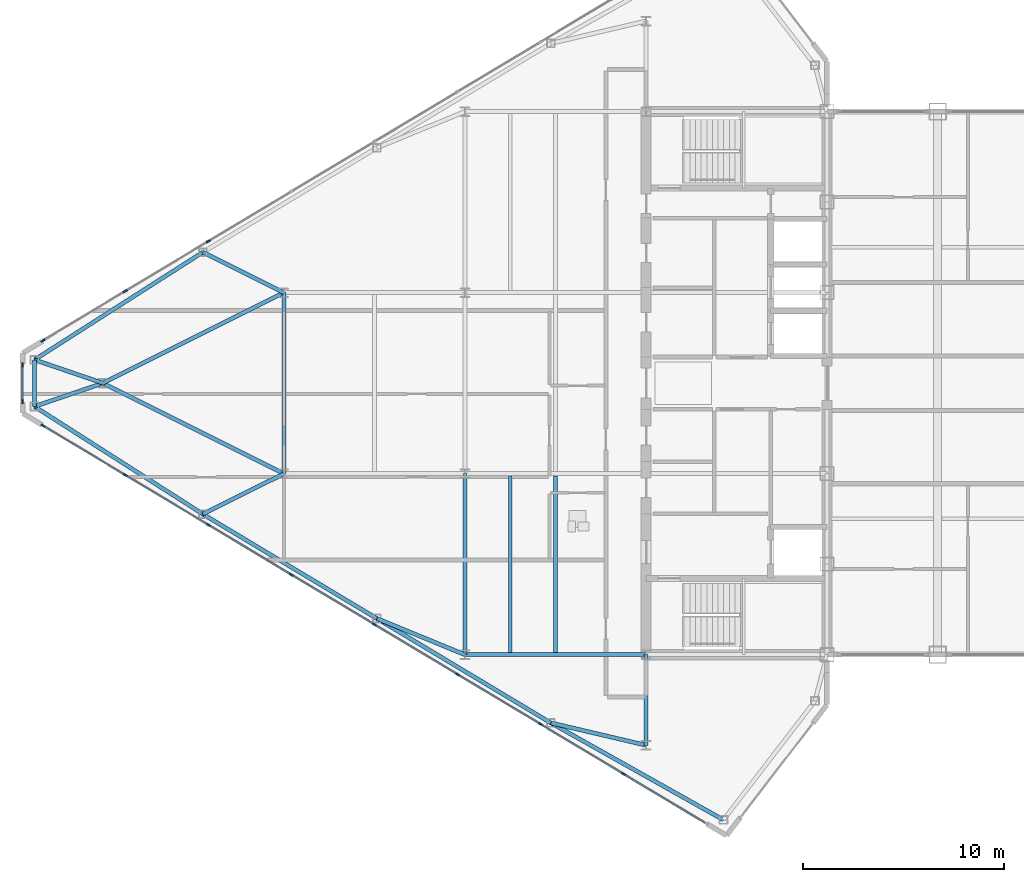
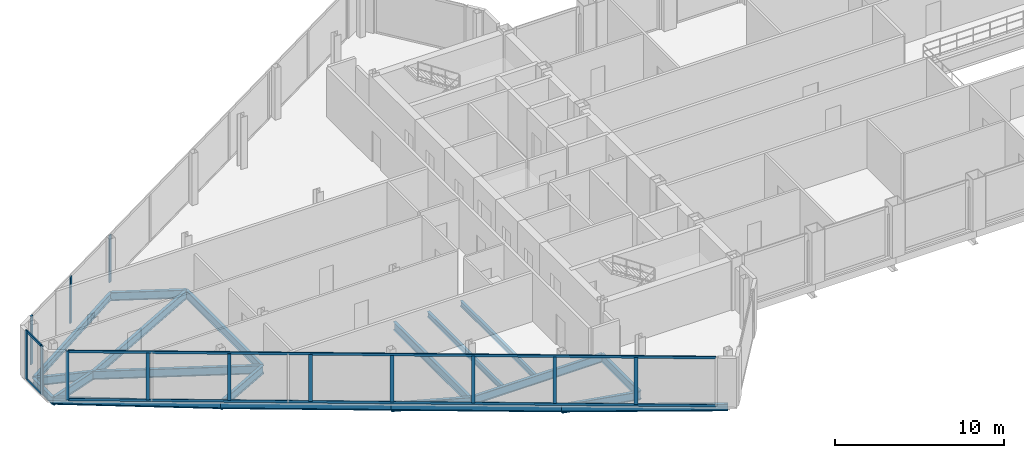
# One storey, part 8 of 29: 20 beams, 17 members, 3 elements without a shape of their own.
"""IFC4 building model written with IfcOpenShell, lengths in metres."""

from ifc_helpers import new_model, si_unit, direction, frame, origin, origin_2d, place, context, subcontext, project, spatial, rectangle, i_section, extrude, source, transform, mapped, material, layer, layer_set, material_profile, profile_set, type_object, type_shapes, element, aggregate, save


model = new_model("IFC4")

# Units and contexts
model_context = context("Model", 3, precision=1e-05, world=origin(), true_north=direction((0.0, 1.0)))
body_context = subcontext(model_context, "Body", "Model", "MODEL_VIEW")
ifc_project = project(units=[si_unit("LENGTHUNIT", "METRE"), si_unit("AREAUNIT", "SQUARE_METRE"), si_unit("VOLUMEUNIT", "CUBIC_METRE"), si_unit("PLANEANGLEUNIT", "RADIAN"), si_unit("MASSUNIT", "GRAM", prefix="KILO")], contexts=[model_context])

# Site, building, storey
site_placement = place(None, origin())
site = spatial("IfcSite", under=ifc_project, at=site_placement, CompositionType="ELEMENT")
building_placement = place(site_placement, origin())
building = spatial("IfcBuilding", under=site, at=building_placement, Name="Seokmaru Belvedere", CompositionType="ELEMENT")
storey_placement = place(building_placement, frame((0.0, 0.0, 243.14990234375)))
storey = spatial("IfcBuildingStorey", under=building, at=storey_placement, Name="L64", CompositionType="ELEMENT", Elevation=243.14990234375)

# Beams
ifc_material_1 = material(Name="Steel SM355 (355 MPa)", Category="steel")
ifc_material_profile_1 = material_profile(ifc_material_1, i_section(OverallWidth=0.199951171875, OverallDepth=0.60009765625, WebThickness=0.010986328125, FlangeThickness=0.01708984375, at=origin_2d()), Name="H-600x200x11x17")
ifc_profile_set_1 = profile_set([ifc_material_profile_1], Name="Steel SM355 (355 MPa)")
beam_type_1 = type_object("IfcBeamType", Name="Primary Floor Girder H-600", PredefinedType="BEAM", material=ifc_profile_set_1)
shared_shape_1 = source(origin(), body_context, "Body", "SweptSolid", [
    extrude(i_section(OverallWidth=0.199951171875, OverallDepth=0.60009765625, WebThickness=0.010986328125, FlangeThickness=0.01708984375, at=origin_2d()), origin(), (0.0, 0.0, 1.0), 9.0),
])
for number, where, z_axis, x_axis, name in (
    (1, (-45.5, -13.5, -0.52001953125), (0.0, 1.0, 0.0), (-1.0, 0.0, 0.0), "L64 W Interior Grid Girder 1"),
    (2, (-45.5, -13.5, -0.52001953125), (1.0, 0.0, 0.0), (0.0, 1.0, 0.0), "L64 W Wing Primary Girder 1"),
    (3, (-54.5, -4.5, -0.52001953125), (0.0, 1.0, 0.0), (-1.0, 0.0, 0.0), "L64 W Apex Frame Girder"),
):
    element("IfcBeam", number, at=place(storey_placement, frame(where, z_axis=z_axis, x_axis=x_axis)), inside=storey, type_object=beam_type_1, Name=name, PredefinedType="BEAM", context=body_context, shape_type="MappedRepresentation", body=[
        mapped(shared_shape_1, transform((0.0, 0.0, 0.0), scale=1.0)),
    ])
shared_shape_2 = source(origin(), body_context, "Body", "SweptSolid", [
    extrude(i_section(OverallWidth=0.199951171875, OverallDepth=0.60009765625, WebThickness=0.010986328125, FlangeThickness=0.01708984375, at=origin_2d()), origin(), (0.0, 0.0, 1.0), 10.062255859375),
])
for number, where, z_axis, x_axis, name in (
    (4, (-54.5, -4.5, -0.52001953125), (-0.894427191, 0.4472135955, 0.0), (-0.4472135955, -0.894427191, 0.0), "L64 W Apex Converging Girder 1"),
    (5, (-54.5, 4.5, -0.52001953125), (-0.894427191, -0.4472135955, 0.0), (0.4472135955, -0.894427191, 0.0), "L64 W Apex Converging Girder 2"),
):
    element("IfcBeam", number, at=place(storey_placement, frame(where, z_axis=z_axis, x_axis=x_axis)), inside=storey, type_object=beam_type_1, Name=name, PredefinedType="BEAM", context=body_context, shape_type="MappedRepresentation", body=[
        mapped(shared_shape_2, transform((0.0, 0.0, 0.0), scale=1.0)),
    ])
ifc_material_profile_2 = material_profile(ifc_material_1, i_section(OverallWidth=0.18505859375, OverallDepth=0.389892578125, WebThickness=0.008056640625, FlangeThickness=0.011962890625, at=origin_2d()), Name="H-390x185x8x12")
ifc_profile_set_2 = profile_set([ifc_material_profile_2], Name="Steel SM355 (355 MPa)")
beam_type_2 = type_object("IfcBeamType", Name="Secondary Floor Joist H-350", PredefinedType="JOIST", material=ifc_profile_set_2)
shared_shape_3 = source(origin(), body_context, "Body", "SweptSolid", [
    extrude(i_section(OverallWidth=0.18505859375, OverallDepth=0.389892578125, WebThickness=0.008056640625, FlangeThickness=0.011962890625, at=origin_2d()), origin(), (0.0, 0.0, 1.0), 8.7900390625),
])
type_shapes(beam_type_2, [shared_shape_3])
for number, where, z_axis, x_axis, name in (
    (6, (-43.25, -13.39501953125, -0.414794921875), (0.0, 1.0, 0.0), (-1.0, 0.0, 0.0), "L64 W Wing Inner Secondary Joist 1"),
    (7, (-41.0, -13.39501953125, -0.414794921875), (0.0, 1.0, 0.0), (-1.0, 0.0, 0.0), "L64 W Secondary Floor Joist 1"),
):
    element("IfcBeam", number, at=place(storey_placement, frame(where, z_axis=z_axis, x_axis=x_axis)), inside=storey, type_object=beam_type_2, Name=name, PredefinedType="JOIST", context=body_context, shape_type="MappedRepresentation", body=[
        mapped(shared_shape_3, transform((0.0, 0.0, 0.0), scale=1.0)),
    ])
shared_shape_4 = source(origin(), body_context, "Body", "SweptSolid", [
    extrude(i_section(OverallWidth=0.199951171875, OverallDepth=0.60009765625, WebThickness=0.010986328125, FlangeThickness=0.01708984375, at=origin_2d()), origin(), (0.0, 0.0, 1.0), 4.5),
])
beam_1_placement = place(storey_placement, frame((-36.5, -18.0, -0.52001953125), z_axis=(0.0, 1.0, 0.0), x_axis=(-1.0, 0.0, 0.0)))
element("IfcBeam", 8, at=beam_1_placement, inside=storey, type_object=beam_type_1, Name="L64 W Core Shoulder Girder S", PredefinedType="BEAM", context=body_context, shape_type="MappedRepresentation", body=[
    mapped(shared_shape_4, transform((0.0, 0.0, 0.0), scale=1.0)),
])
ifc_material_profile_3 = material_profile(ifc_material_1, i_section(OverallWidth=0.199951171875, OverallDepth=0.5, WebThickness=0.010009765625, FlangeThickness=0.01611328125, at=origin_2d()), Name="H-500x200x10x16")
ifc_profile_set_3 = profile_set([ifc_material_profile_3], Name="Steel SM355 (355 MPa)")
beam_type_3 = type_object("IfcBeamType", Name="Perimeter Spandrel Beam H-500", PredefinedType="SPANDREL", material=ifc_profile_set_3)
shared_shape_5 = source(origin(), body_context, "Body", "SweptSolid", [
    extrude(i_section(OverallWidth=0.199951171875, OverallDepth=0.5, WebThickness=0.010009765625, FlangeThickness=0.01611328125, at=origin_2d()), origin(), (0.0, 0.0, 1.0), 9.842041015625),
])
beam_2_placement = place(storey_placement, frame((-32.649658203125, -21.71044921875, -0.469970703125), z_axis=(-0.871782151818, 0.489893743349, 0.0), x_axis=(-0.489893743349, -0.871782151818, 0.0)))
element("IfcBeam", 9, at=beam_2_placement, inside=storey, type_object=beam_type_3, Name="L64 W Faceted Flank Spandrel S-1", PredefinedType="SPANDREL", context=body_context, shape_type="MappedRepresentation", body=[
    mapped(shared_shape_5, transform((0.0, 0.0, 0.0), scale=1.0)),
])
shared_shape_6 = source(origin(), body_context, "Body", "SweptSolid", [
    extrude(i_section(OverallWidth=0.199951171875, OverallDepth=0.5, WebThickness=0.010009765625, FlangeThickness=0.01611328125, at=origin_2d()), origin(), (0.0, 0.0, 1.0), 10.087646484375),
])
for number, where, z_axis, x_axis, name in (
    (10, (-41.229736328125, -16.888916015625, -0.469970703125), (-0.857499332045, 0.514485078056, 0.0), (-0.514485078056, -0.857499332045, 0.0), "L64 W Faceted Flank Spandrel S-2"),
    (11, (-49.8798828125, -11.698974609375, -0.469970703125), (-0.857488654804, 0.514502873542, 0.0), (-0.514502873542, -0.857488654804, 0.0), "L64 W Faceted Flank Spandrel S-3"),
):
    element("IfcBeam", number, at=place(storey_placement, frame(where, z_axis=z_axis, x_axis=x_axis)), inside=storey, type_object=beam_type_3, Name=name, PredefinedType="SPANDREL", context=body_context, shape_type="MappedRepresentation", body=[
        mapped(shared_shape_6, transform((0.0, 0.0, 0.0), scale=1.0)),
    ])
shared_shape_7 = source(origin(), body_context, "Body", "SweptSolid", [
    extrude(i_section(OverallWidth=0.199951171875, OverallDepth=0.5, WebThickness=0.010009765625, FlangeThickness=0.01611328125, at=origin_2d()), origin(), (0.0, 0.0, 1.0), 9.932861328125),
])
for number, where, z_axis, x_axis, name in (
    (12, (-58.530029296875, -6.5087890625, -0.469970703125), (-0.842651960357, 0.538458609093, 0.0), (-0.538458609093, -0.842651960357, 0.0), "L64 W Faceted Flank Spandrel S-4"),
    (13, (-58.530029296875, 6.5087890625, -0.469970703125), (-0.842651960357, -0.538458609093, 0.0), (0.538458609093, -0.842651960357, 0.0), "L64 W Faceted Flank Spandrel N-4"),
):
    element("IfcBeam", number, at=place(storey_placement, frame(where, z_axis=z_axis, x_axis=x_axis)), inside=storey, type_object=beam_type_3, Name=name, PredefinedType="SPANDREL", context=body_context, shape_type="MappedRepresentation", body=[
        mapped(shared_shape_7, transform((0.0, 0.0, 0.0), scale=1.0)),
    ])
shared_shape_8 = source(origin(), body_context, "Body", "SweptSolid", [
    extrude(i_section(OverallWidth=0.199951171875, OverallDepth=0.5, WebThickness=0.010009765625, FlangeThickness=0.01611328125, at=origin_2d()), origin(), (0.0, 0.0, 1.0), 2.32080078125),
])
type_shapes(beam_type_3, [shared_shape_5, shared_shape_6, shared_shape_7, shared_shape_8])
beam_3_placement = place(storey_placement, frame((-66.89990234375, -1.160400390625, -0.469970703125), z_axis=(0.0, 1.0, 0.0), x_axis=(-1.0, 0.0, 0.0)))
element("IfcBeam", 14, at=beam_3_placement, inside=storey, type_object=beam_type_3, Name="L64 W Faceted Apex Spandrel", PredefinedType="SPANDREL", context=body_context, shape_type="MappedRepresentation", body=[
    mapped(shared_shape_8, transform((0.0, 0.0, 0.0), scale=1.0)),
])
shared_shape_9 = source(origin(), body_context, "Body", "SweptSolid", [
    extrude(i_section(OverallWidth=0.199951171875, OverallDepth=0.60009765625, WebThickness=0.010986328125, FlangeThickness=0.01708984375, at=origin_2d()), origin(), (0.0, 0.0, 1.0), 4.8583984375),
])
beam_4_placement = place(storey_placement, frame((-41.229736328125, -16.888916015625, -0.52001953125), z_axis=(0.97349948295, -0.228689214211, 0.0), x_axis=(0.228689214211, 0.97349948295, 0.0)))
element("IfcBeam", 15, at=beam_4_placement, inside=storey, type_object=beam_type_1, Name="L64 W Flank Radial Floor Girder S-1", PredefinedType="BEAM", context=body_context, shape_type="MappedRepresentation", body=[
    mapped(shared_shape_9, transform((0.0, 0.0, 0.0), scale=1.0)),
])
shared_shape_10 = source(origin(), body_context, "Body", "SweptSolid", [
    extrude(i_section(OverallWidth=0.199951171875, OverallDepth=0.60009765625, WebThickness=0.010986328125, FlangeThickness=0.01708984375, at=origin_2d()), origin(), (0.0, 0.0, 1.0), 4.73583984375),
])
beam_5_placement = place(storey_placement, frame((-49.8798828125, -11.698974609375, -0.52001953125), z_axis=(0.924860562953, -0.380306375301, 0.0), x_axis=(0.380306375301, 0.924860562953, 0.0)))
element("IfcBeam", 16, at=beam_5_placement, inside=storey, type_object=beam_type_1, Name="L64 W Flank Radial Floor Girder S-2", PredefinedType="BEAM", context=body_context, shape_type="MappedRepresentation", body=[
    mapped(shared_shape_10, transform((0.0, 0.0, 0.0), scale=1.0)),
])
shared_shape_11 = source(origin(), body_context, "Body", "SweptSolid", [
    extrude(i_section(OverallWidth=0.199951171875, OverallDepth=0.60009765625, WebThickness=0.010986328125, FlangeThickness=0.01708984375, at=origin_2d()), origin(), (0.0, 0.0, 1.0), 4.5029296875),
])
for number, where, z_axis, x_axis, name in (
    (17, (-58.530029296875, -6.5087890625, -0.52001953125), (0.894979532585, 0.446107202648, 0.0), (-0.446107202648, 0.894979532585, 0.0), "L64 W Flank Radial Floor Girder S-3"),
    (18, (-58.530029296875, 6.5087890625, -0.52001953125), (0.894979532585, -0.446107202648, 0.0), (0.446107202648, 0.894979532585, 0.0), "L64 W Flank Radial Floor Girder N-3"),
):
    element("IfcBeam", number, at=place(storey_placement, frame(where, z_axis=z_axis, x_axis=x_axis)), inside=storey, type_object=beam_type_1, Name=name, PredefinedType="BEAM", context=body_context, shape_type="MappedRepresentation", body=[
        mapped(shared_shape_11, transform((0.0, 0.0, 0.0), scale=1.0)),
    ])
shared_shape_12 = source(origin(), body_context, "Body", "SweptSolid", [
    extrude(i_section(OverallWidth=0.199951171875, OverallDepth=0.60009765625, WebThickness=0.010986328125, FlangeThickness=0.01708984375, at=origin_2d()), origin(), (0.0, 0.0, 1.0), 3.592529296875),
])
type_shapes(beam_type_1, [shared_shape_1, shared_shape_2, shared_shape_4, shared_shape_9, shared_shape_10, shared_shape_11, shared_shape_12])
for number, where, z_axis, x_axis, name in (
    (19, (-66.89990234375, -1.160400390625, -0.52001953125), (0.946395973048, 0.323008764893, 0.0), (-0.323008764893, 0.946395973048, 0.0), "L64 W Apex Radial Floor Girder 1"),
    (20, (-66.89990234375, 1.160400390625, -0.52001953125), (0.946395973048, -0.323008764893, 0.0), (0.323008764893, 0.946395973048, 0.0), "L64 W Apex Radial Floor Girder 2"),
):
    element("IfcBeam", number, at=place(storey_placement, frame(where, z_axis=z_axis, x_axis=x_axis)), inside=storey, type_object=beam_type_1, Name=name, PredefinedType="BEAM", context=body_context, shape_type="MappedRepresentation", body=[
        mapped(shared_shape_12, transform((0.0, 0.0, 0.0), scale=1.0)),
    ])

# Curtain wall, members
ifc_material_2 = material(Name="Bronze Triple Insulating Glass", Category="glass")
ifc_layer = layer(ifc_material_2, 0.219970703125)
ifc_layer_set = layer_set([ifc_layer], Name="Bronze Triple Insulating Glass")
curtain_wall_type = type_object("IfcCurtainWallType", Name="Sky-Gate Bridge Panorama Curtain Wall System CW-6", PredefinedType="NOTDEFINED", material=ifc_layer_set)
curtain_wall_1_placement = place(storey_placement, origin())
curtain_wall_1 = element("IfcCurtainWall", 21, at=curtain_wall_1_placement, inside=storey, type_object=curtain_wall_type, Name="L64 Curtain Wall WF5", PredefinedType="NOTDEFINED")
ifc_material_3 = material(Name="Anodised Bronze Aluminium", Category="aluminium")
ifc_material_profile_4 = material_profile(ifc_material_3, rectangle(XDim=0.074951171875, YDim=0.179931640625, at=origin_2d()), Name="CW-T-75x180")
ifc_profile_set_4 = profile_set([ifc_material_profile_4], Name="Anodised Bronze Aluminium")
member_type_1 = type_object("IfcMemberType", Name="Bronze Unitised Transom 75x180", PredefinedType="USERDEFINED", material=ifc_profile_set_4)
shared_shape_13 = source(origin(), body_context, "Body", "SweptSolid", [
    extrude(rectangle(XDim=0.074951171875, YDim=0.179931640625, at=origin_2d()), origin(), (0.0, 0.0, 1.0), 38.356689453125),
])
member_1_placement = place(storey_placement, frame((-66.4453125, -2.1328125, 0.03759765625), z_axis=(0.857492925713, -0.514495755428, 0.0), x_axis=(0.514495755428, 0.857492925713, 0.0)))
member_1 = element("IfcMember", 22, at=member_1_placement, type_object=member_type_1, Name="CW:L64:WF5 Continuous Transom 1", ObjectType="TRANSOM", PredefinedType="USERDEFINED", context=body_context, shape_type="MappedRepresentation", body=[
    mapped(shared_shape_13, transform((0.0, 0.0, 0.0), scale=1.0)),
])
member_2_placement = place(storey_placement, frame((-66.4453125, -2.1328125, 3.49267578125), z_axis=(0.857492925713, -0.514495755428, 0.0), x_axis=(0.514495755428, 0.857492925713, 0.0)))
member_2 = element("IfcMember", 23, at=member_2_placement, type_object=member_type_1, Name="CW:L64:WF5 Continuous Transom 2", ObjectType="TRANSOM", PredefinedType="USERDEFINED", context=body_context, shape_type="MappedRepresentation", body=[
    mapped(shared_shape_13, transform((0.0, 0.0, 0.0), scale=1.0)),
])

curtain_wall_2_placement = place(storey_placement, origin())
curtain_wall_2 = element("IfcCurtainWall", 24, at=curtain_wall_2_placement, inside=storey, type_object=curtain_wall_type, Name="L64 Curtain Wall WF4", PredefinedType="NOTDEFINED")
shared_shape_14 = source(origin(), body_context, "Body", "SweptSolid", [
    extrude(rectangle(XDim=0.074951171875, YDim=0.179931640625, at=origin_2d()), origin(), (0.0, 0.0, 1.0), 1.740234375),
])
type_shapes(member_type_1, [shared_shape_13, shared_shape_14])
member_3_placement = place(storey_placement, frame((-67.5, 0.8701171875, 0.03759765625), z_axis=(0.0, -1.0, 0.0), x_axis=(1.0, 0.0, 0.0)))
member_3 = element("IfcMember", 25, at=member_3_placement, type_object=member_type_1, Name="CW:L64:WF4 Continuous Transom 1", ObjectType="TRANSOM", PredefinedType="USERDEFINED", context=body_context, shape_type="MappedRepresentation", body=[
    mapped(shared_shape_14, transform((0.0, 0.0, 0.0), scale=1.0)),
])
member_4_placement = place(storey_placement, frame((-67.5, 0.8701171875, 3.49267578125), z_axis=(0.0, -1.0, 0.0), x_axis=(1.0, 0.0, 0.0)))
member_4 = element("IfcMember", 26, at=member_4_placement, type_object=member_type_1, Name="CW:L64:WF4 Continuous Transom 2", ObjectType="TRANSOM", PredefinedType="USERDEFINED", context=body_context, shape_type="MappedRepresentation", body=[
    mapped(shared_shape_14, transform((0.0, 0.0, 0.0), scale=1.0)),
])

# Curtain wall, member
curtain_wall_3_placement = place(storey_placement, origin())
curtain_wall_3 = element("IfcCurtainWall", 27, at=curtain_wall_3_placement, inside=storey, type_object=curtain_wall_type, Name="L64 Curtain Wall WF3", PredefinedType="NOTDEFINED")
ifc_material_profile_5 = material_profile(ifc_material_3, rectangle(XDim=0.080078125, YDim=0.219970703125, at=origin_2d()), Name="CW-M-80x220")
ifc_profile_set_5 = profile_set([ifc_material_profile_5], Name="Anodised Bronze Aluminium")
member_type_2 = type_object("IfcMemberType", Name="Bronze Unitised Mullion 80x220", PredefinedType="MULLION", material=ifc_profile_set_5)
shared_shape_15 = source(origin(), body_context, "Body", "SweptSolid", [
    extrude(rectangle(XDim=0.080078125, YDim=0.219970703125, at=origin_2d()), origin(), (0.0, 0.0, 1.0), 3.530029296875),
])
member_5_placement = place(storey_placement, frame((-66.4794921875, 2.1123046875, 0.0), z_axis=(0.0, 0.0, 1.0), x_axis=(0.514494909364, -0.85749343335, 0.0)))
member_5 = element("IfcMember", 28, at=member_5_placement, type_object=member_type_2, Name="CW:L64:WF3 Mullion 9", PredefinedType="MULLION", context=body_context, shape_type="MappedRepresentation", body=[
    mapped(shared_shape_15, transform((0.0, 0.0, 0.0), scale=1.0)),
])

# Member
member_6_placement = place(storey_placement, frame((-67.5, 0.909912109375, 0.0), z_axis=(0.0, 0.0, 1.0), x_axis=(1.0, 0.0, 0.0)))
member_6 = element("IfcMember", 29, at=member_6_placement, type_object=member_type_2, Name="CW:L64:WF4 Mullion 1", PredefinedType="MULLION", context=body_context, shape_type="MappedRepresentation", body=[
    mapped(shared_shape_15, transform((0.0, 0.0, 0.0), scale=1.0)),
])

member_7_placement = place(storey_placement, frame((-67.5, -0.909912109375, 0.0), z_axis=(0.0, 0.0, 1.0), x_axis=(1.0, 0.0, 0.0)))
member_7 = element("IfcMember", 30, at=member_7_placement, type_object=member_type_2, Name="CW:L64:WF4 Mullion 2", PredefinedType="MULLION", context=body_context, shape_type="MappedRepresentation", body=[
    mapped(shared_shape_15, transform((0.0, 0.0, 0.0), scale=1.0)),
])

aggregate(curtain_wall_2, [member_6, member_7, member_3, member_4])

member_8_placement = place(storey_placement, frame((-66.4794921875, -2.1123046875, 0.0), z_axis=(0.0, 0.0, 1.0), x_axis=(0.514494909364, 0.85749343335, 0.0)))
member_8 = element("IfcMember", 31, at=member_8_placement, type_object=member_type_2, Name="CW:L64:WF5 Mullion 1", PredefinedType="MULLION", context=body_context, shape_type="MappedRepresentation", body=[
    mapped(shared_shape_15, transform((0.0, 0.0, 0.0), scale=1.0)),
])

shared_shape_16 = source(origin(), body_context, "Body", "SweptSolid", [
    extrude(rectangle(XDim=0.080078125, YDim=0.219970703125, at=origin_2d()), origin(), (0.0, 0.0, 1.0), 3.3798828125),
])
type_shapes(member_type_2, [shared_shape_15, shared_shape_16])
member_9_placement = place(storey_placement, frame((-58.257080078125, 7.0458984375, 0.0751953125), z_axis=(0.0, 0.0, 1.0), x_axis=(0.514494909364, -0.85749343335, 0.0)))
member_9 = element("IfcMember", 32, at=member_9_placement, type_object=member_type_2, Name="CW:L64:WF3 Mullion 7", PredefinedType="MULLION", context=body_context, shape_type="MappedRepresentation", body=[
    mapped(shared_shape_16, transform((0.0, 0.0, 0.0), scale=1.0)),
])

member_10_placement = place(storey_placement, frame((-62.385498046875, 4.56884765625, 0.0751953125), z_axis=(0.0, 0.0, 1.0), x_axis=(0.514494909364, -0.85749343335, 0.0)))
member_10 = element("IfcMember", 33, at=member_10_placement, type_object=member_type_2, Name="CW:L64:WF3 Mullion 8", PredefinedType="MULLION", context=body_context, shape_type="MappedRepresentation", body=[
    mapped(shared_shape_16, transform((0.0, 0.0, 0.0), scale=1.0)),
])

aggregate(curtain_wall_3, [member_9, member_10, member_5])

member_11_placement = place(storey_placement, frame((-62.385498046875, -4.56884765625, 0.0751953125), z_axis=(0.0, 0.0, 1.0), x_axis=(0.514494909364, 0.85749343335, 0.0)))
member_11 = element("IfcMember", 34, at=member_11_placement, type_object=member_type_2, Name="CW:L64:WF5 Mullion 2", PredefinedType="MULLION", context=body_context, shape_type="MappedRepresentation", body=[
    mapped(shared_shape_16, transform((0.0, 0.0, 0.0), scale=1.0)),
])

member_12_placement = place(storey_placement, frame((-58.257080078125, -7.0458984375, 0.0751953125), z_axis=(0.0, 0.0, 1.0), x_axis=(0.514494909364, 0.85749343335, 0.0)))
member_12 = element("IfcMember", 35, at=member_12_placement, type_object=member_type_2, Name="CW:L64:WF5 Mullion 3", PredefinedType="MULLION", context=body_context, shape_type="MappedRepresentation", body=[
    mapped(shared_shape_16, transform((0.0, 0.0, 0.0), scale=1.0)),
])

member_13_placement = place(storey_placement, frame((-54.12841796875, -9.52294921875, 0.0751953125), z_axis=(0.0, 0.0, 1.0), x_axis=(0.514494909364, 0.85749343335, 0.0)))
member_13 = element("IfcMember", 36, at=member_13_placement, type_object=member_type_2, Name="CW:L64:WF5 Mullion 4", PredefinedType="MULLION", context=body_context, shape_type="MappedRepresentation", body=[
    mapped(shared_shape_16, transform((0.0, 0.0, 0.0), scale=1.0)),
])

member_14_placement = place(storey_placement, frame((-50.0, -12.0, 0.0751953125), z_axis=(0.0, 0.0, 1.0), x_axis=(0.514494909364, 0.85749343335, 0.0)))
member_14 = element("IfcMember", 37, at=member_14_placement, type_object=member_type_2, Name="CW:L64:WF5 Mullion 5", PredefinedType="MULLION", context=body_context, shape_type="MappedRepresentation", body=[
    mapped(shared_shape_16, transform((0.0, 0.0, 0.0), scale=1.0)),
])

member_15_placement = place(storey_placement, frame((-45.87158203125, -14.47705078125, 0.0751953125), z_axis=(0.0, 0.0, 1.0), x_axis=(0.514494909364, 0.85749343335, 0.0)))
member_15 = element("IfcMember", 38, at=member_15_placement, type_object=member_type_2, Name="CW:L64:WF5 Mullion 6", PredefinedType="MULLION", context=body_context, shape_type="MappedRepresentation", body=[
    mapped(shared_shape_16, transform((0.0, 0.0, 0.0), scale=1.0)),
])

member_16_placement = place(storey_placement, frame((-41.742919921875, -16.9541015625, 0.0751953125), z_axis=(0.0, 0.0, 1.0), x_axis=(0.514494909364, 0.85749343335, 0.0)))
member_16 = element("IfcMember", 39, at=member_16_placement, type_object=member_type_2, Name="CW:L64:WF5 Mullion 7", PredefinedType="MULLION", context=body_context, shape_type="MappedRepresentation", body=[
    mapped(shared_shape_16, transform((0.0, 0.0, 0.0), scale=1.0)),
])

member_17_placement = place(storey_placement, frame((-37.614501953125, -19.43115234375, 0.0751953125), z_axis=(0.0, 0.0, 1.0), x_axis=(0.514494909364, 0.85749343335, 0.0)))
member_17 = element("IfcMember", 40, at=member_17_placement, type_object=member_type_2, Name="CW:L64:WF5 Mullion 8", PredefinedType="MULLION", context=body_context, shape_type="MappedRepresentation", body=[
    mapped(shared_shape_16, transform((0.0, 0.0, 0.0), scale=1.0)),
])

aggregate(curtain_wall_1, [member_8, member_11, member_12, member_13, member_14, member_15, member_16, member_17, member_1, member_2])

save(model, "model.ifc")
